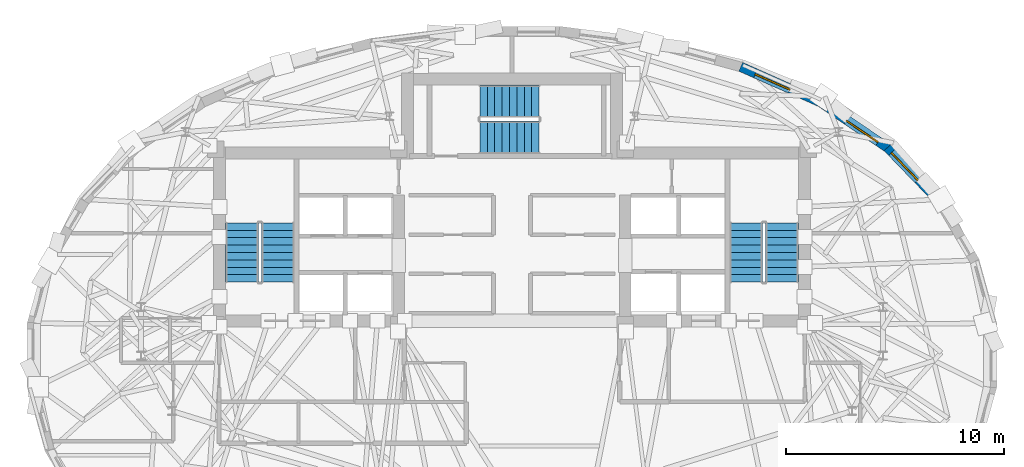
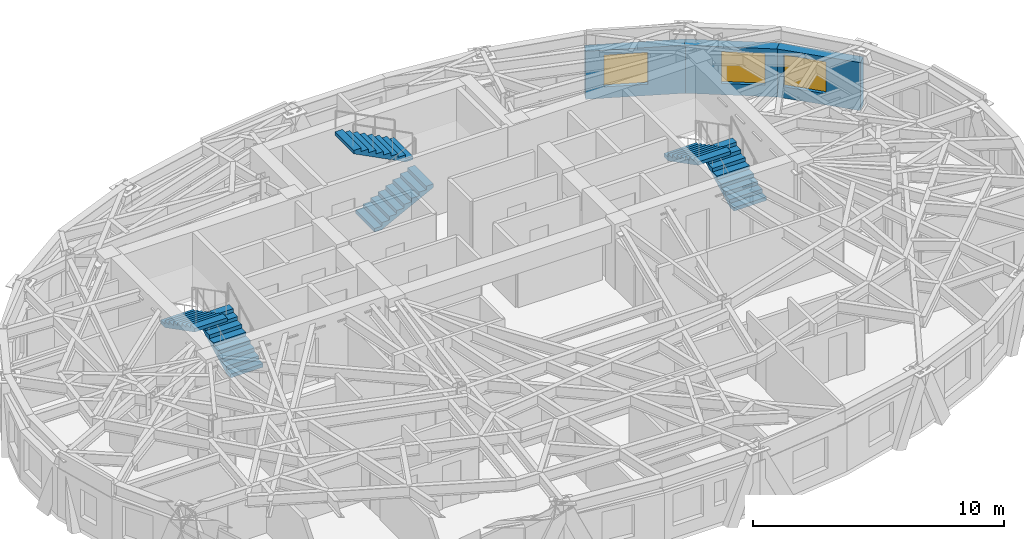
# One storey, part 10 of 13: 6 stair flights, 3 walls, 3 windows, 3 openings, 3 elements without a shape of their own.
"""IFC4 building model written with IfcOpenShell, lengths in metres."""

from ifc_helpers import new_model, si_unit, direction, frame, frame_2d, origin, place, context, subcontext, project, spatial, polyline, rectangle, outline, extrude, material, layer, layer_set, type_object, element, fill, aggregate, save


model = new_model("IFC4")

# Units and contexts
model_context = context("Model", 3, precision=1e-05, world=origin(), true_north=direction((0.0, 1.0)))
body_context = subcontext(model_context, "Body", "Model", "MODEL_VIEW")
ifc_project = project(units=[si_unit("LENGTHUNIT", "METRE"), si_unit("AREAUNIT", "SQUARE_METRE"), si_unit("VOLUMEUNIT", "CUBIC_METRE"), si_unit("PLANEANGLEUNIT", "RADIAN"), si_unit("MASSUNIT", "GRAM", prefix="KILO")], contexts=[model_context])

# Site, building, storey
site_placement = place(None, origin())
site = spatial("IfcSite", under=ifc_project, at=site_placement, CompositionType="ELEMENT")
building_placement = place(site_placement, origin())
building = spatial("IfcBuilding", under=site, at=building_placement, Name="Keldmark Tower", CompositionType="ELEMENT")
storey_placement = place(building_placement, frame((0.0, 0.0, 232.050048828125)))
storey = spatial("IfcBuildingStorey", under=building, at=storey_placement, Name="L65", CompositionType="ELEMENT", Elevation=232.050048828125)

# Wall, opening, window
ifc_material_1 = material(Name="Ironspot Manganese Brick and Kasota Buff Limestone Spandrel Assembly", Category="masonry")
ifc_layer = layer(ifc_material_1, 0.43994140625)
ifc_layer_set = layer_set([ifc_layer], Name="Ironspot Manganese Brick and Kasota Buff Limestone Spandrel Assembly")
wall_type = type_object("IfcWallType", Name="Tower Brick Pier and Spandrel Wall 440 mm", PredefinedType="STANDARD", material=ifc_layer_set)
wall_1_placement = place(storey_placement, frame((17.244384765625, 9.532470703125, 0.0), z_axis=(0.0, 0.0, 1.0), x_axis=(0.694030285144, -0.71994580581, 0.0)))
wall_1 = element("IfcWall", 1, at=wall_1_placement, inside=storey, type_object=wall_type, Name="L65 Exterior Brick and Spandrel Wall 03", PredefinedType="STANDARD", context=body_context, shape_type="SweptSolid", body=[
    extrude(rectangle(XDim=3.476318359375, YDim=0.43994140625, at=frame_2d((1.73828125, 0.0))), origin(), (0.0, 0.0, 1.0), 2.3359375),
])
opening_1_placement = place(wall_1_placement, frame((0.298095703125, 0.0, 0.550048828125)))
opening_1 = element("IfcOpeningElement", 2, at=opening_1_placement, cuts=wall_1, Name="Opening W-05", PredefinedType="OPENING", context=body_context, shape_type="SweptSolid", body=[
    extrude(rectangle(XDim=1.75, YDim=1.550048828125, at=frame_2d((0.875, 0.77490234375))), frame((0.0, 0.22998046875, 0.0), z_axis=(0.0, -1.0, 0.0), x_axis=(1.0, 0.0, 0.0)), (0.0, 0.0, 1.0), 0.4599609375),
])
ifc_material_2 = material(Name="Thermally Broken Anodized Aluminum and Triple Low-E Argon Glazing", Category="aluminium")
window_type = type_object("IfcWindowType", Name="Residential Deep-Set Window 1750x1550", PartitioningType="DOUBLE_PANEL_VERTICAL", PredefinedType="WINDOW", material=ifc_material_2)
window_1_placement = place(opening_1_placement, origin())
window_1 = element("IfcWindow", 3, at=window_1_placement, inside=storey, type_object=window_type, Name="L65 Deep-Set Window 03", OverallHeight=1.550048828125, OverallWidth=1.75, PartitioningType="SINGLE_PANEL", PredefinedType="WINDOW", context=body_context, shape_type="SweptSolid", body=[
    extrude(rectangle(XDim=1.75, YDim=1.550048828125, at=frame_2d((0.875, 0.77490234375))), frame((0.0, -0.010009765625, 0.0), z_axis=(0.0, -1.0, 0.0), x_axis=(1.0, 0.0, 0.0)), (0.0, 0.0, 1.0), 0.06005859375),
])
fill(opening_1, window_1)

wall_2_placement = place(storey_placement, frame((14.15869140625, 11.619384765625, 0.0), z_axis=(0.0, 0.0, 1.0), x_axis=(0.827641205742, -0.56125754744, 0.0)))
wall_2 = element("IfcWall", 4, at=wall_2_placement, inside=storey, type_object=wall_type, Name="L65 Exterior Brick and Spandrel Wall 04", PredefinedType="STANDARD", context=body_context, shape_type="SweptSolid", body=[
    extrude(rectangle(XDim=3.7705078125, YDim=0.43994140625, at=frame_2d((1.88525390625, 0.0))), origin(), (0.0, 0.0, 1.0), 2.3359375),
])
opening_2_placement = place(wall_2_placement, frame((1.476806640625, 0.0, 0.550048828125)))
opening_2 = element("IfcOpeningElement", 5, at=opening_2_placement, cuts=wall_2, Name="Opening W-05", PredefinedType="OPENING", context=body_context, shape_type="SweptSolid", body=[
    extrude(rectangle(XDim=1.75, YDim=1.550048828125, at=frame_2d((0.875, 0.77490234375))), frame((0.0, 0.22998046875, 0.0), z_axis=(0.0, -1.0, 0.0), x_axis=(1.0, 0.0, 0.0)), (0.0, 0.0, 1.0), 0.4599609375),
])
window_2_placement = place(opening_2_placement, origin())
window_2 = element("IfcWindow", 6, at=window_2_placement, inside=storey, type_object=window_type, Name="L65 Deep-Set Window 04", OverallHeight=1.550048828125, OverallWidth=1.75, PartitioningType="SINGLE_PANEL", PredefinedType="WINDOW", context=body_context, shape_type="SweptSolid", body=[
    extrude(rectangle(XDim=1.75, YDim=1.550048828125, at=frame_2d((0.875, 0.77490234375))), frame((0.0, -0.010009765625, 0.0), z_axis=(0.0, -1.0, 0.0), x_axis=(1.0, 0.0, 0.0)), (0.0, 0.0, 1.0), 0.06005859375),
])
fill(opening_2, window_2)

wall_3_placement = place(storey_placement, frame((10.50244140625, 13.236328125, 0.0), z_axis=(0.0, 0.0, 1.0), x_axis=(0.914197700285, -0.405268509501, 0.0)))
wall_3 = element("IfcWall", 7, at=wall_3_placement, inside=storey, type_object=wall_type, Name="L65 Exterior Brick and Spandrel Wall 05", PredefinedType="STANDARD", context=body_context, shape_type="SweptSolid", body=[
    extrude(rectangle(XDim=4.036865234375, YDim=0.43994140625, at=frame_2d((2.0185546875, 0.0))), origin(), (0.0, 0.0, 1.0), 2.3359375),
])
opening_3_placement = place(wall_3_placement, frame((0.74609375, 0.0, 0.550048828125)))
opening_3 = element("IfcOpeningElement", 8, at=opening_3_placement, cuts=wall_3, Name="Opening W-05", PredefinedType="OPENING", context=body_context, shape_type="SweptSolid", body=[
    extrude(rectangle(XDim=1.75, YDim=1.550048828125, at=frame_2d((0.875, 0.77490234375))), frame((0.0, 0.22998046875, 0.0), z_axis=(0.0, -1.0, 0.0), x_axis=(1.0, 0.0, 0.0)), (0.0, 0.0, 1.0), 0.4599609375),
])
window_3_placement = place(opening_3_placement, origin())
window_3 = element("IfcWindow", 9, at=window_3_placement, inside=storey, type_object=window_type, Name="L65 Deep-Set Window 05", OverallHeight=1.550048828125, OverallWidth=1.75, PartitioningType="SINGLE_PANEL", PredefinedType="WINDOW", context=body_context, shape_type="SweptSolid", body=[
    extrude(rectangle(XDim=1.75, YDim=1.550048828125, at=frame_2d((0.875, 0.77490234375))), frame((0.0, -0.010009765625, 0.0), z_axis=(0.0, -1.0, 0.0), x_axis=(1.0, 0.0, 0.0)), (0.0, 0.0, 1.0), 0.06005859375),
])
fill(opening_3, window_3)

# Stair, stair flights
ifc_material_3 = material(Name="Concrete C40/50", Category="concrete")
stair_type = type_object("IfcStairType", Name="Precast Concrete Core Exit Stair", PredefinedType="HALF_TURN_STAIR", material=ifc_material_3)
stair_1_placement = place(storey_placement, origin())
stair_1 = element("IfcStair", 10, at=stair_1_placement, inside=storey, type_object=stair_type, Name="L65 Exit Stair ST1", PredefinedType="HALF_TURN_STAIR")
ifc_material_4 = material(Name="Concrete C40/50", Category="concrete")
stair_flight_type = type_object("IfcStairFlightType", Name="Precast Concrete Stair Flight 1500 mm", PredefinedType="STRAIGHT", material=ifc_material_4)
stair_flight_1_placement = place(storey_placement, frame((-10.75, 3.35009765625, 0.0), z_axis=(0.0, 0.0, 1.0), x_axis=(0.0, 1.0, 0.0)))
stair_flight_1 = element("IfcStairFlight", 11, at=stair_flight_1_placement, type_object=stair_flight_type, Name="ST1 flight 1", NumberOfRisers=9, NumberOfTreads=8, PredefinedType="STRAIGHT", RiserHeight=0.175, TreadLength=0.34, context=body_context, shape_type="SweptSolid", body=[
    extrude(outline(polyline([(0.0, 0.0), (0.0, 0.175048828125), (0.340087890625, 0.175048828125), (0.340087890625, 0.35009765625), (0.679931640625, 0.35009765625), (0.679931640625, 0.52490234375), (1.02001953125, 0.52490234375), (1.02001953125, 0.699951171875), (1.360107421875, 0.699951171875), (1.360107421875, 0.875), (1.699951171875, 0.875), (1.699951171875, 1.050048828125), (2.0400390625, 1.050048828125), (2.0400390625, 1.22509765625), (2.3798828125, 1.22509765625), (2.3798828125, 1.39990234375), (2.719970703125, 1.39990234375), (2.719970703125, 1.574951171875), (2.719970703125, 1.2314453125), (0.32763671875, 0.0), (0.0, 0.0)])), frame((0.0, 0.75, 0.0), z_axis=(0.0, -1.0, 0.0), x_axis=(1.0, 0.0, 0.0)), (0.0, 0.0, 1.0), 1.5),
])
stair_flight_2_placement = place(storey_placement, frame((-12.39990234375, 6.070068359375, 1.574951171875), z_axis=(0.0, 0.0, 1.0), x_axis=(0.0, -1.0, 0.0)))
stair_flight_2 = element("IfcStairFlight", 12, at=stair_flight_2_placement, type_object=stair_flight_type, Name="ST1 flight 2", NumberOfRisers=9, NumberOfTreads=8, PredefinedType="STRAIGHT", RiserHeight=0.175, TreadLength=0.34, context=body_context, shape_type="SweptSolid", body=[
    extrude(outline(polyline([(0.0, 0.0), (0.0, 0.175048828125), (0.340087890625, 0.175048828125), (0.340087890625, 0.35009765625), (0.679931640625, 0.35009765625), (0.679931640625, 0.52490234375), (1.02001953125, 0.52490234375), (1.02001953125, 0.699951171875), (1.360107421875, 0.699951171875), (1.360107421875, 0.875), (1.699951171875, 0.875), (1.699951171875, 1.050048828125), (2.0400390625, 1.050048828125), (2.0400390625, 1.22509765625), (2.3798828125, 1.22509765625), (2.3798828125, 1.39990234375), (2.719970703125, 1.39990234375), (2.719970703125, 1.574951171875), (2.719970703125, 1.2314453125), (0.32763671875, 0.0), (0.0, 0.0)])), frame((0.0, 0.75, 0.0), z_axis=(0.0, -1.0, 0.0), x_axis=(1.0, 0.0, 0.0)), (0.0, 0.0, 1.0), 1.5),
])
aggregate(stair_1, [stair_flight_1, stair_flight_2])

stair_2_placement = place(storey_placement, origin())
stair_2 = element("IfcStair", 13, at=stair_2_placement, inside=storey, type_object=stair_type, Name="L65 Exit Stair ST2", PredefinedType="HALF_TURN_STAIR")
stair_flight_3_placement = place(storey_placement, frame((12.39990234375, 3.35009765625, 0.0), z_axis=(0.0, 0.0, 1.0), x_axis=(0.0, 1.0, 0.0)))
stair_flight_3 = element("IfcStairFlight", 14, at=stair_flight_3_placement, type_object=stair_flight_type, Name="ST2 flight 1", NumberOfRisers=9, NumberOfTreads=8, PredefinedType="STRAIGHT", RiserHeight=0.175, TreadLength=0.34, context=body_context, shape_type="SweptSolid", body=[
    extrude(outline(polyline([(0.0, 0.0), (0.0, 0.175048828125), (0.340087890625, 0.175048828125), (0.340087890625, 0.35009765625), (0.679931640625, 0.35009765625), (0.679931640625, 0.52490234375), (1.02001953125, 0.52490234375), (1.02001953125, 0.699951171875), (1.360107421875, 0.699951171875), (1.360107421875, 0.875), (1.699951171875, 0.875), (1.699951171875, 1.050048828125), (2.0400390625, 1.050048828125), (2.0400390625, 1.22509765625), (2.3798828125, 1.22509765625), (2.3798828125, 1.39990234375), (2.719970703125, 1.39990234375), (2.719970703125, 1.574951171875), (2.719970703125, 1.2314453125), (0.32763671875, 0.0), (0.0, 0.0)])), frame((0.0, 0.75, 0.0), z_axis=(0.0, -1.0, 0.0), x_axis=(1.0, 0.0, 0.0)), (0.0, 0.0, 1.0), 1.5),
])
stair_flight_4_placement = place(storey_placement, frame((10.75, 6.070068359375, 1.574951171875), z_axis=(0.0, 0.0, 1.0), x_axis=(0.0, -1.0, 0.0)))
stair_flight_4 = element("IfcStairFlight", 15, at=stair_flight_4_placement, type_object=stair_flight_type, Name="ST2 flight 2", NumberOfRisers=9, NumberOfTreads=8, PredefinedType="STRAIGHT", RiserHeight=0.175, TreadLength=0.34, context=body_context, shape_type="SweptSolid", body=[
    extrude(outline(polyline([(0.0, 0.0), (0.0, 0.175048828125), (0.340087890625, 0.175048828125), (0.340087890625, 0.35009765625), (0.679931640625, 0.35009765625), (0.679931640625, 0.52490234375), (1.02001953125, 0.52490234375), (1.02001953125, 0.699951171875), (1.360107421875, 0.699951171875), (1.360107421875, 0.875), (1.699951171875, 0.875), (1.699951171875, 1.050048828125), (2.0400390625, 1.050048828125), (2.0400390625, 1.22509765625), (2.3798828125, 1.22509765625), (2.3798828125, 1.39990234375), (2.719970703125, 1.39990234375), (2.719970703125, 1.574951171875), (2.719970703125, 1.2314453125), (0.32763671875, 0.0), (0.0, 0.0)])), frame((0.0, 0.75, 0.0), z_axis=(0.0, -1.0, 0.0), x_axis=(1.0, 0.0, 0.0)), (0.0, 0.0, 1.0), 1.5),
])
aggregate(stair_2, [stair_flight_3, stair_flight_4])

stair_3_placement = place(storey_placement, origin())
stair_3 = element("IfcStair", 16, at=stair_3_placement, inside=storey, type_object=stair_type, Name="L65 Exit Stair ST3", PredefinedType="HALF_TURN_STAIR")
stair_flight_5_placement = place(storey_placement, frame((-1.47509765625, 10.0, 0.0), z_axis=(0.0, 0.0, 1.0), x_axis=(1.0, 0.0, 0.0)))
stair_flight_5 = element("IfcStairFlight", 17, at=stair_flight_5_placement, type_object=stair_flight_type, Name="ST3 flight 1", NumberOfRisers=9, NumberOfTreads=8, PredefinedType="STRAIGHT", RiserHeight=0.175, TreadLength=0.34, context=body_context, shape_type="SweptSolid", body=[
    extrude(outline(polyline([(0.0, 0.0), (0.0, 0.175048828125), (0.340087890625, 0.175048828125), (0.340087890625, 0.35009765625), (0.679931640625, 0.35009765625), (0.679931640625, 0.52490234375), (1.02001953125, 0.52490234375), (1.02001953125, 0.699951171875), (1.360107421875, 0.699951171875), (1.360107421875, 0.875), (1.699951171875, 0.875), (1.699951171875, 1.050048828125), (2.0400390625, 1.050048828125), (2.0400390625, 1.22509765625), (2.3798828125, 1.22509765625), (2.3798828125, 1.39990234375), (2.719970703125, 1.39990234375), (2.719970703125, 1.574951171875), (2.719970703125, 1.2314453125), (0.32763671875, 0.0), (0.0, 0.0)])), frame((0.0, 0.75, 0.0), z_axis=(0.0, -1.0, 0.0), x_axis=(1.0, 0.0, 0.0)), (0.0, 0.0, 1.0), 1.5),
])
stair_flight_6_placement = place(storey_placement, frame((1.2451171875, 11.64990234375, 1.574951171875), z_axis=(0.0, 0.0, 1.0), x_axis=(-1.0, 0.0, 0.0)))
stair_flight_6 = element("IfcStairFlight", 18, at=stair_flight_6_placement, type_object=stair_flight_type, Name="ST3 flight 2", NumberOfRisers=9, NumberOfTreads=8, PredefinedType="STRAIGHT", RiserHeight=0.175, TreadLength=0.34, context=body_context, shape_type="SweptSolid", body=[
    extrude(outline(polyline([(0.0, 0.0), (0.0, 0.175048828125), (0.340087890625, 0.175048828125), (0.340087890625, 0.35009765625), (0.679931640625, 0.35009765625), (0.679931640625, 0.52490234375), (1.02001953125, 0.52490234375), (1.02001953125, 0.699951171875), (1.360107421875, 0.699951171875), (1.360107421875, 0.875), (1.699951171875, 0.875), (1.699951171875, 1.050048828125), (2.0400390625, 1.050048828125), (2.0400390625, 1.22509765625), (2.3798828125, 1.22509765625), (2.3798828125, 1.39990234375), (2.719970703125, 1.39990234375), (2.719970703125, 1.574951171875), (2.719970703125, 1.2314453125), (0.32763671875, 0.0), (0.0, 0.0)])), frame((0.0, 0.75, 0.0), z_axis=(0.0, -1.0, 0.0), x_axis=(1.0, 0.0, 0.0)), (0.0, 0.0, 1.0), 1.5),
])
aggregate(stair_3, [stair_flight_5, stair_flight_6])

save(model, "model.ifc")
